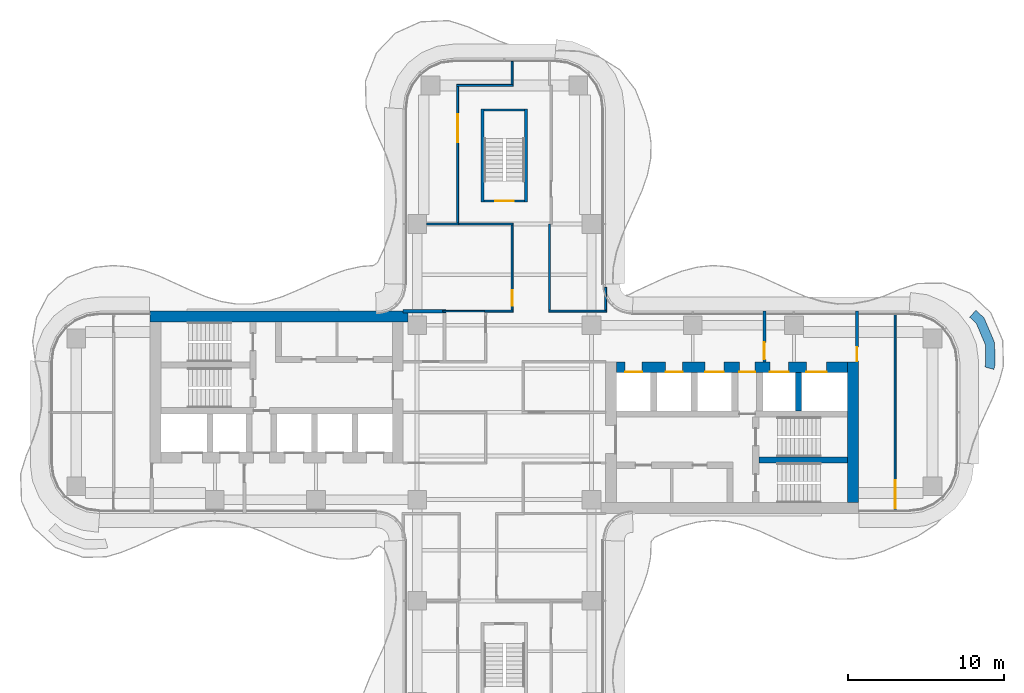
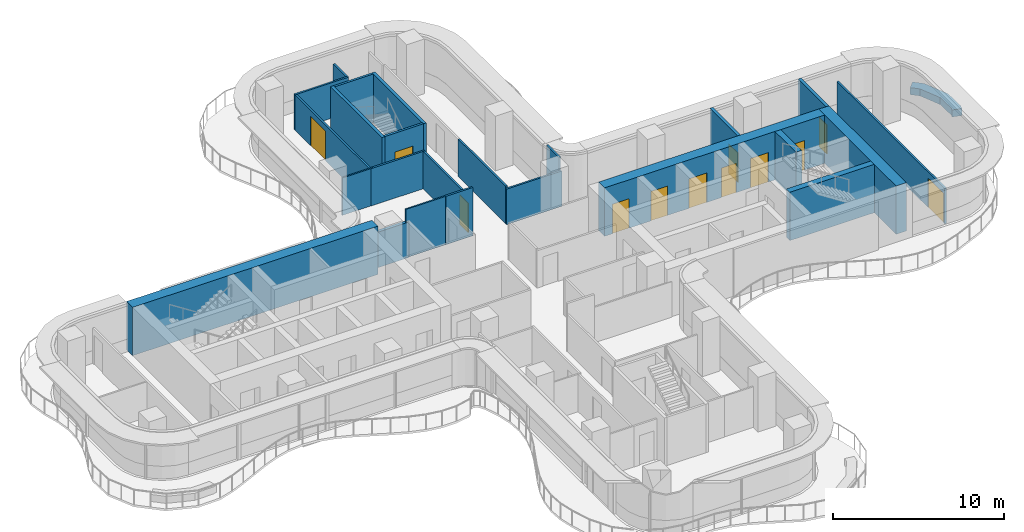
# One storey, part 14 of 17: 25 walls, 12 doors, 12 openings.
"""IFC4 building model written with IfcOpenShell, lengths in metres."""

from ifc_helpers import new_model, si_unit, direction, frame, frame_2d, origin, place, context, subcontext, project, spatial, polyline, rectangle, outline, extrude, source, transform, mapped, material, layer, layer_set, type_object, element, fill, save


model = new_model("IFC4")

# Units and contexts
model_context = context("Model", 3, precision=1e-05, world=origin(), true_north=direction((0.0, 1.0)))
body_context = subcontext(model_context, "Body", "Model", "MODEL_VIEW")
ifc_project = project(units=[si_unit("LENGTHUNIT", "METRE"), si_unit("AREAUNIT", "SQUARE_METRE"), si_unit("VOLUMEUNIT", "CUBIC_METRE"), si_unit("PLANEANGLEUNIT", "RADIAN"), si_unit("MASSUNIT", "GRAM", prefix="KILO")], contexts=[model_context])

# Site, building, storey
site_placement = place(None, origin())
site = spatial("IfcSite", under=ifc_project, at=site_placement, CompositionType="ELEMENT")
building_placement = place(site_placement, origin())
building = spatial("IfcBuilding", under=site, at=building_placement, Name="Trellis Farm Tower", CompositionType="ELEMENT")
storey_placement = place(building_placement, frame((0.0, 0.0, 208.800048828125)))
storey = spatial("IfcBuildingStorey", under=building, at=storey_placement, Name="L46", CompositionType="ELEMENT", Elevation=208.800048828125)

# Walls
ifc_material_1 = material(Name="Lightweight blockwork, plastered", Category="masonry")
ifc_layer_1 = layer(ifc_material_1, 0.199951171875)
ifc_layer_set_1 = layer_set([ifc_layer_1], Name="BLOCK WALL 200 EI 120")
wall_type_1 = type_object("IfcWallType", Name="BLOCK WALL 200 EI 120", PredefinedType="PARTITIONING", material=ifc_layer_set_1)
wall_1_placement = place(storey_placement, frame((-6.5, 6.5, 0.0), z_axis=(0.0, 0.0, 1.0), x_axis=(1.0, 0.0, 0.0)))
element("IfcWall", 1, at=wall_1_placement, inside=storey, type_object=wall_type_1, Name="Partition PW3", PredefinedType="PARTITIONING", context=body_context, shape_type="SweptSolid", body=[
    extrude(rectangle(XDim=2.75, YDim=0.199951171875, at=frame_2d((1.375, 0.0))), origin(), (0.0, 0.0, 1.0), 2.530029296875),
])
ifc_material_2 = material(Name="Plasterboard on steel studs", Category="steel")
ifc_layer_2 = layer(ifc_material_2, 0.10009765625)
ifc_layer_set_2 = layer_set([ifc_layer_2], Name="PARTITION 100 STUD EI 30")
wall_type_2 = type_object("IfcWallType", Name="PARTITION 100 STUD EI 30", PredefinedType="PARTITIONING", material=ifc_layer_set_2)
wall_2_placement = place(storey_placement, frame((-3.949951171875, 6.5, 0.0), z_axis=(0.0, 0.0, 1.0), x_axis=(1.0, 0.0, 0.0)))
element("IfcWall", 2, at=wall_2_placement, inside=storey, type_object=wall_type_2, Name="Partition PW2", PredefinedType="PARTITIONING", context=body_context, shape_type="SweptSolid", body=[
    extrude(rectangle(XDim=2.8125, YDim=0.10009765625, at=frame_2d((1.40625, 0.0))), origin(), (0.0, 0.0, 1.0), 3.449951171875),
])
ifc_material_3 = material(Name="Plasterboard on steel studs, mineral wool", Category="steel")
ifc_layer_3 = layer(ifc_material_3, 0.125)
ifc_layer_set_3 = layer_set([ifc_layer_3], Name="PARTITION 125 STUD EI 60")
wall_type_3 = type_object("IfcWallType", Name="PARTITION 125 STUD EI 60", PredefinedType="PARTITIONING", material=ifc_layer_set_3)
wall_3_placement = place(storey_placement, frame((-3.0625, 21.0, 0.0), z_axis=(0.0, 0.0, 1.0), x_axis=(1.0, 0.0, 0.0)))
element("IfcWall", 3, at=wall_3_placement, inside=storey, type_object=wall_type_3, Name="Partition PW1", PredefinedType="PARTITIONING", context=body_context, shape_type="SweptSolid", body=[
    extrude(rectangle(XDim=3.625, YDim=0.125, at=frame_2d((1.8125, 0.0))), origin(), (0.0, 0.0, 1.0), 2.530029296875),
])
ifc_material_4 = material(Name="Sandstone faced masonry planter", Category="masonry")
ifc_layer_4 = layer(ifc_material_4, 0.60009765625)
ifc_layer_set_4 = layer_set([ifc_layer_4], Name="PLANTER BED 600")
wall_type_4 = type_object("IfcWallType", Name="PLANTER BED 600", PredefinedType="USERDEFINED", material=ifc_layer_set_4)
wall_4_placement = place(storey_placement, origin())
element("IfcWall", 4, at=wall_4_placement, inside=storey, type_object=wall_type_4, Name="PLANTER bed", ObjectType="PLANTER", PredefinedType="USERDEFINED", context=body_context, shape_type="SweptSolid", body=[
    extrude(outline(polyline([(31.487060546875, 4.484130859375), (31.51953125, 3.056884765625), (31.439697265625, 2.76171875), (30.8603515625, 2.918701171875), (30.917724609375, 3.130126953125), (30.889892578125, 4.355224609375), (30.310302734375, 5.717041015625), (29.880615234375, 6.12060546875), (30.291015625, 6.55810546875), (30.81298828125, 6.068115234375), (31.487060546875, 4.484130859375)])), origin(), (0.0, 0.0, 1.0), 0.5),
])
ifc_material_5 = material(Name="Concrete C70/85", Category="concrete")
ifc_layer_5 = layer(ifc_material_5, 0.699951171875)
ifc_layer_set_5 = layer_set([ifc_layer_5], Name="CORE OUTER WALL 700 CONCRETE C70/85")
wall_type_5 = type_object("IfcWallType", Name="CORE OUTER WALL 700 CONCRETE C70/85", PredefinedType="SHEAR", material=ifc_layer_set_5)
shared_shape_1 = source(origin(), body_context, "Body", "SweptSolid", [
    extrude(rectangle(XDim=9.050048828125, YDim=0.699951171875, at=frame_2d((4.52490234375, 0.0))), origin(), (0.0, 0.0, 1.0), 3.449951171875),
])
wall_5_placement = place(storey_placement, frame((22.39990234375, -5.800048828125, 0.0), z_axis=(0.0, 0.0, 1.0), x_axis=(0.0, 1.0, 0.0)))
element("IfcWall", 5, at=wall_5_placement, inside=storey, type_object=wall_type_5, Name="Core wall", PredefinedType="SHEAR", context=body_context, shape_type="MappedRepresentation", body=[
    mapped(shared_shape_1, transform((0.0, 0.0, 0.0))),
])
ifc_layer_6 = layer(ifc_material_5, 0.39990234375)
ifc_layer_set_6 = layer_set([ifc_layer_6], Name="CORE INNER WALL 400 CONCRETE C70/85")
wall_type_6 = type_object("IfcWallType", Name="CORE INNER WALL 400 CONCRETE C70/85", PredefinedType="SHEAR", material=ifc_layer_set_6)
shared_shape_2 = source(origin(), body_context, "Body", "SweptSolid", [
    extrude(rectangle(XDim=2.449951171875, YDim=0.39990234375, at=frame_2d((1.22509765625, 0.0))), origin(), (0.0, 0.0, 1.0), 3.449951171875),
])
wall_6_placement = place(storey_placement, frame((18.89990234375, 0.10009765625, 0.0), z_axis=(0.0, 0.0, 1.0), x_axis=(0.0, 1.0, 0.0)))
element("IfcWall", 6, at=wall_6_placement, inside=storey, type_object=wall_type_6, Name="Core wall", PredefinedType="SHEAR", context=body_context, shape_type="MappedRepresentation", body=[
    mapped(shared_shape_2, transform((0.0, 0.0, 0.0))),
])

# Wall, opening, door
ifc_material_6 = material(Name="Masonry blockwork", Category="masonry")
ifc_layer_7 = layer(ifc_material_6, 0.199951171875)
ifc_layer_set_7 = layer_set([ifc_layer_7], Name="FIRE LOBBY PARTITION 200 BLOCKWORK")
wall_type_7 = type_object("IfcWallType", Name="FIRE LOBBY PARTITION 200 BLOCKWORK", PredefinedType="PARTITIONING", material=ifc_layer_set_7)
shared_shape_3 = source(origin(), body_context, "Body", "SweptSolid", [
    extrude(rectangle(XDim=3.25, YDim=0.199951171875, at=frame_2d((1.625, 0.0))), origin(), (0.0, 0.0, 1.0), 3.449951171875),
])
wall_7_placement = place(storey_placement, frame((16.699951171875, 3.25, 0.0), z_axis=(0.0, 0.0, 1.0), x_axis=(0.0, 1.0, 0.0)))
wall_7 = element("IfcWall", 7, at=wall_7_placement, inside=storey, type_object=wall_type_7, Name="Fire-fighting lobby partition", PredefinedType="PARTITIONING", context=body_context, shape_type="MappedRepresentation", body=[
    mapped(shared_shape_3, transform((0.0, 0.0, 0.0))),
])
shared_shape_4 = source(origin(), body_context, "Body", "SweptSolid", [
    extrude(rectangle(XDim=1.10009765625, YDim=2.10009765625, at=frame_2d((0.550048828125, 1.050048828125))), frame((0.0, 0.110107421875, 0.0), z_axis=(0.0, -1.0, 0.0), x_axis=(1.0, 0.0, 0.0)), (0.0, 0.0, 1.0), 0.22021484375),
])
opening_1_placement = place(wall_7_placement, frame((0.14990234375, 0.0, 0.0)))
opening_1 = element("IfcOpeningElement", 8, at=opening_1_placement, cuts=wall_7, Name="Opening DC7", PredefinedType="OPENING", context=body_context, shape_type="MappedRepresentation", body=[
    mapped(shared_shape_4, transform((0.0, 0.0, 0.0))),
])
ifc_material_7 = material(Name="Steel", Category="steel")
door_type_1 = type_object("IfcDoorType", Name="CORE FIRE DOOR 1100 X 2100", OperationType="NOTDEFINED", PredefinedType="DOOR", material=ifc_material_7)
shared_shape_5 = source(origin(), body_context, "Body", "SweptSolid", [
    extrude(rectangle(XDim=1.10009765625, YDim=2.10009765625, at=frame_2d((0.550048828125, 1.050048828125))), frame((0.0, 0.02490234375, 0.0), z_axis=(0.0, -1.0, 0.0), x_axis=(1.0, 0.0, 0.0)), (0.0, 0.0, 1.0), 0.050048828125),
])
door_1_placement = place(opening_1_placement, origin())
door_1 = element("IfcDoor", 9, at=door_1_placement, inside=storey, type_object=door_type_1, Name="Core door", OperationType="SINGLE_SWING_RIGHT", OverallHeight=2.10009765625, OverallWidth=1.10009765625, PredefinedType="DOOR", context=body_context, shape_type="MappedRepresentation", body=[
    mapped(shared_shape_5, transform((0.0, 0.0, 0.0))),
])
fill(opening_1, door_1)

wall_8_placement = place(storey_placement, frame((22.64990234375, 3.25, 0.0), z_axis=(0.0, 0.0, 1.0), x_axis=(0.0, 1.0, 0.0)))
wall_8 = element("IfcWall", 10, at=wall_8_placement, inside=storey, type_object=wall_type_7, Name="Fire-fighting lobby partition", PredefinedType="PARTITIONING", context=body_context, shape_type="MappedRepresentation", body=[
    mapped(shared_shape_3, transform((0.0, 0.0, 0.0))),
])
shared_shape_6 = source(origin(), body_context, "Body", "SweptSolid", [
    extrude(rectangle(XDim=0.89990234375, YDim=2.10009765625, at=frame_2d((0.449951171875, 1.050048828125))), frame((0.0, 0.110107421875, 0.0), z_axis=(0.0, -1.0, 0.0), x_axis=(1.0, 0.0, 0.0)), (0.0, 0.0, 1.0), 0.22021484375),
])
opening_2_placement = place(wall_8_placement, frame((0.050048828125, 0.0, 0.0)))
opening_2 = element("IfcOpeningElement", 11, at=opening_2_placement, cuts=wall_8, Name="Opening DC8", PredefinedType="OPENING", context=body_context, shape_type="MappedRepresentation", body=[
    mapped(shared_shape_6, transform((0.0, 0.0, 0.0))),
])
door_type_2 = type_object("IfcDoorType", Name="CORE FIRE DOOR 900 X 2100", OperationType="NOTDEFINED", PredefinedType="DOOR", material=ifc_material_7)
shared_shape_7 = source(origin(), body_context, "Body", "SweptSolid", [
    extrude(rectangle(XDim=0.89990234375, YDim=2.10009765625, at=frame_2d((0.449951171875, 1.050048828125))), frame((0.0, 0.02490234375, 0.0), z_axis=(0.0, -1.0, 0.0), x_axis=(1.0, 0.0, 0.0)), (0.0, 0.0, 1.0), 0.050048828125),
])
door_2_placement = place(opening_2_placement, origin())
door_2 = element("IfcDoor", 12, at=door_2_placement, inside=storey, type_object=door_type_2, Name="Core door", OperationType="SINGLE_SWING_RIGHT", OverallHeight=2.10009765625, OverallWidth=0.89990234375, PredefinedType="DOOR", context=body_context, shape_type="MappedRepresentation", body=[
    mapped(shared_shape_7, transform((0.0, 0.0, 0.0))),
])
fill(opening_2, door_2)

# Wall
shared_shape_8 = source(origin(), body_context, "Body", "SweptSolid", [
    extrude(rectangle(XDim=16.550048828125, YDim=0.699951171875, at=frame_2d((8.27490234375, 0.0))), origin(), (0.0, 0.0, 1.0), 3.449951171875),
])
wall_9_placement = place(storey_placement, frame((-6.199951171875, 6.14990234375, 0.0), z_axis=(0.0, 0.0, 1.0), x_axis=(-1.0, 0.0, 0.0)))
element("IfcWall", 13, at=wall_9_placement, inside=storey, type_object=wall_type_5, Name="Core wall", PredefinedType="SHEAR", context=body_context, shape_type="MappedRepresentation", body=[
    mapped(shared_shape_8, transform((0.0, 0.0, 0.0))),
])

# Wall, openings, doors
shared_shape_9 = source(origin(), body_context, "Body", "SweptSolid", [
    extrude(rectangle(XDim=14.85009765625, YDim=0.699951171875, at=frame_2d((7.425048828125, 0.0))), origin(), (0.0, 0.0, 1.0), 3.449951171875),
])
wall_10_placement = place(storey_placement, frame((7.199951171875, 2.89990234375, 0.0), z_axis=(0.0, 0.0, 1.0), x_axis=(1.0, 0.0, 0.0)))
wall_10 = element("IfcWall", 14, at=wall_10_placement, inside=storey, type_object=wall_type_5, Name="Core wall", PredefinedType="SHEAR", context=body_context, shape_type="MappedRepresentation", body=[
    mapped(shared_shape_9, transform((0.0, 0.0, 0.0))),
])
shared_shape_10 = source(origin(), body_context, "Body", "SweptSolid", [
    extrude(rectangle(XDim=1.10009765625, YDim=2.10009765625, at=frame_2d((0.550048828125, 1.050048828125))), frame((0.0, 0.360107421875, 0.0), z_axis=(0.0, -1.0, 0.0), x_axis=(1.0, 0.0, 0.0)), (0.0, 0.0, 1.0), 0.72021484375),
])
opening_3_placement = place(wall_10_placement, frame((0.550048828125, 0.0, 0.0)))
opening_3 = element("IfcOpeningElement", 15, at=opening_3_placement, cuts=wall_10, Name="Opening LD4", PredefinedType="OPENING", context=body_context, shape_type="MappedRepresentation", body=[
    mapped(shared_shape_10, transform((0.0, 0.0, 0.0))),
])
opening_4_placement = place(wall_10_placement, frame((3.14990234375, 0.0, 0.0)))
opening_4 = element("IfcOpeningElement", 16, at=opening_4_placement, cuts=wall_10, Name="Opening LD5", PredefinedType="OPENING", context=body_context, shape_type="MappedRepresentation", body=[
    mapped(shared_shape_10, transform((0.0, 0.0, 0.0))),
])
shared_shape_11 = source(origin(), body_context, "Body", "SweptSolid", [
    extrude(rectangle(XDim=1.199951171875, YDim=2.10009765625, at=frame_2d((0.60009765625, 1.050048828125))), frame((0.0, 0.360107421875, 0.0), z_axis=(0.0, -1.0, 0.0), x_axis=(1.0, 0.0, 0.0)), (0.0, 0.0, 1.0), 0.72021484375),
])
opening_5_placement = place(wall_10_placement, frame((5.699951171875, 0.0, 0.0)))
opening_5 = element("IfcOpeningElement", 17, at=opening_5_placement, cuts=wall_10, Name="Opening LD6", PredefinedType="OPENING", context=body_context, shape_type="MappedRepresentation", body=[
    mapped(shared_shape_11, transform((0.0, 0.0, 0.0))),
])
shared_shape_12 = source(origin(), body_context, "Body", "SweptSolid", [
    extrude(rectangle(XDim=1.300048828125, YDim=2.10009765625, at=frame_2d((0.64990234375, 1.050048828125))), frame((0.0, 0.360107421875, 0.0), z_axis=(0.0, -1.0, 0.0), x_axis=(1.0, 0.0, 0.0)), (0.0, 0.0, 1.0), 0.72021484375),
])
opening_6_placement = place(wall_10_placement, frame((12.199951171875, 0.0, 0.0)))
opening_6 = element("IfcOpeningElement", 18, at=opening_6_placement, cuts=wall_10, Name="Opening LD7", PredefinedType="OPENING", context=body_context, shape_type="MappedRepresentation", body=[
    mapped(shared_shape_12, transform((0.0, 0.0, 0.0))),
])
opening_7_placement = place(wall_10_placement, frame((9.85009765625, 0.0, 0.0)))
opening_7 = element("IfcOpeningElement", 19, at=opening_7_placement, cuts=wall_10, Name="Opening LD8", PredefinedType="OPENING", context=body_context, shape_type="MappedRepresentation", body=[
    mapped(shared_shape_11, transform((0.0, 0.0, 0.0))),
])
shared_shape_13 = source(origin(), body_context, "Body", "SweptSolid", [
    extrude(rectangle(XDim=1.0, YDim=2.10009765625, at=frame_2d((0.5, 1.050048828125))), frame((0.0, 0.360107421875, 0.0), z_axis=(0.0, -1.0, 0.0), x_axis=(1.0, 0.0, 0.0)), (0.0, 0.0, 1.0), 0.72021484375),
])
opening_8_placement = place(wall_10_placement, frame((7.89990234375, 0.0, 0.0)))
opening_8 = element("IfcOpeningElement", 20, at=opening_8_placement, cuts=wall_10, Name="Opening DC6", PredefinedType="OPENING", context=body_context, shape_type="MappedRepresentation", body=[
    mapped(shared_shape_13, transform((0.0, 0.0, 0.0))),
])
door_type_3 = type_object("IfcDoorType", Name="CORE FIRE DOOR 1000 X 2100", OperationType="NOTDEFINED", PredefinedType="DOOR", material=ifc_material_7)
shared_shape_14 = source(origin(), body_context, "Body", "SweptSolid", [
    extrude(rectangle(XDim=1.0, YDim=2.10009765625, at=frame_2d((0.5, 1.050048828125))), frame((0.0, -0.27490234375, 0.0), z_axis=(0.0, -1.0, 0.0), x_axis=(1.0, 0.0, 0.0)), (0.0, 0.0, 1.0), 0.050048828125),
])
door_3_placement = place(opening_8_placement, origin())
door_3 = element("IfcDoor", 21, at=door_3_placement, inside=storey, type_object=door_type_3, Name="Core door", OperationType="SINGLE_SWING_LEFT", OverallHeight=2.10009765625, OverallWidth=1.0, PredefinedType="DOOR", context=body_context, shape_type="MappedRepresentation", body=[
    mapped(shared_shape_14, transform((0.0, 0.0, 0.0))),
])
fill(opening_8, door_3)
ifc_material_8 = material(Name="Stainless steel", Category="steel")
door_type_4 = type_object("IfcDoorType", Name="LIFT LANDING DOOR 1300 X 2100", OperationType="DOUBLE_DOOR_SLIDING", PredefinedType="DOOR", material=ifc_material_8)
shared_shape_15 = source(origin(), body_context, "Body", "SweptSolid", [
    extrude(rectangle(XDim=1.300048828125, YDim=2.10009765625, at=frame_2d((0.64990234375, 1.050048828125))), frame((0.0, -0.27490234375, 0.0), z_axis=(0.0, -1.0, 0.0), x_axis=(1.0, 0.0, 0.0)), (0.0, 0.0, 1.0), 0.050048828125),
])
door_4_placement = place(opening_6_placement, origin())
door_4 = element("IfcDoor", 22, at=door_4_placement, inside=storey, type_object=door_type_4, Name="Lift landing door", OperationType="DOUBLE_DOOR_SLIDING", OverallHeight=2.10009765625, OverallWidth=1.300048828125, PredefinedType="DOOR", context=body_context, shape_type="MappedRepresentation", body=[
    mapped(shared_shape_15, transform((0.0, 0.0, 0.0))),
])
fill(opening_6, door_4)
door_type_5 = type_object("IfcDoorType", Name="LIFT LANDING DOOR 1200 X 2100", OperationType="DOUBLE_DOOR_SLIDING", PredefinedType="DOOR", material=ifc_material_8)
shared_shape_16 = source(origin(), body_context, "Body", "SweptSolid", [
    extrude(rectangle(XDim=1.199951171875, YDim=2.10009765625, at=frame_2d((0.60009765625, 1.050048828125))), frame((0.0, -0.27490234375, 0.0), z_axis=(0.0, -1.0, 0.0), x_axis=(1.0, 0.0, 0.0)), (0.0, 0.0, 1.0), 0.050048828125),
])
door_5_placement = place(opening_5_placement, origin())
door_5 = element("IfcDoor", 23, at=door_5_placement, inside=storey, type_object=door_type_5, Name="Lift landing door", OperationType="DOUBLE_DOOR_SLIDING", OverallHeight=2.10009765625, OverallWidth=1.199951171875, PredefinedType="DOOR", context=body_context, shape_type="MappedRepresentation", body=[
    mapped(shared_shape_16, transform((0.0, 0.0, 0.0))),
])
fill(opening_5, door_5)
door_6_placement = place(opening_7_placement, origin())
door_6 = element("IfcDoor", 24, at=door_6_placement, inside=storey, type_object=door_type_5, Name="Lift landing door", OperationType="DOUBLE_DOOR_SLIDING", OverallHeight=2.10009765625, OverallWidth=1.199951171875, PredefinedType="DOOR", context=body_context, shape_type="MappedRepresentation", body=[
    mapped(shared_shape_16, transform((0.0, 0.0, 0.0))),
])
fill(opening_7, door_6)
door_type_6 = type_object("IfcDoorType", Name="LIFT LANDING DOOR 1100 X 2100", OperationType="DOUBLE_DOOR_SLIDING", PredefinedType="DOOR", material=ifc_material_8)
shared_shape_17 = source(origin(), body_context, "Body", "SweptSolid", [
    extrude(rectangle(XDim=1.10009765625, YDim=2.10009765625, at=frame_2d((0.550048828125, 1.050048828125))), frame((0.0, -0.27490234375, 0.0), z_axis=(0.0, -1.0, 0.0), x_axis=(1.0, 0.0, 0.0)), (0.0, 0.0, 1.0), 0.050048828125),
])
door_7_placement = place(opening_3_placement, origin())
door_7 = element("IfcDoor", 25, at=door_7_placement, inside=storey, type_object=door_type_6, Name="Lift landing door", OperationType="DOUBLE_DOOR_SLIDING", OverallHeight=2.10009765625, OverallWidth=1.10009765625, PredefinedType="DOOR", context=body_context, shape_type="MappedRepresentation", body=[
    mapped(shared_shape_17, transform((0.0, 0.0, 0.0))),
])
fill(opening_3, door_7)
door_8_placement = place(opening_4_placement, origin())
door_8 = element("IfcDoor", 26, at=door_8_placement, inside=storey, type_object=door_type_6, Name="Lift landing door", OperationType="DOUBLE_DOOR_SLIDING", OverallHeight=2.10009765625, OverallWidth=1.10009765625, PredefinedType="DOOR", context=body_context, shape_type="MappedRepresentation", body=[
    mapped(shared_shape_17, transform((0.0, 0.0, 0.0))),
])
fill(opening_4, door_8)

# Walls
shared_shape_18 = source(origin(), body_context, "Body", "SweptSolid", [
    extrude(rectangle(XDim=5.699951171875, YDim=0.39990234375, at=frame_2d((2.85009765625, 0.0))), origin(), (0.0, 0.0, 1.0), 3.449951171875),
])
wall_11_placement = place(storey_placement, frame((16.35009765625, -3.050048828125, 0.0), z_axis=(0.0, 0.0, 1.0), x_axis=(1.0, 0.0, 0.0)))
element("IfcWall", 27, at=wall_11_placement, inside=storey, type_object=wall_type_6, Name="Core wall", PredefinedType="SHEAR", context=body_context, shape_type="MappedRepresentation", body=[
    mapped(shared_shape_18, transform((0.0, 0.0, 0.0))),
])
ifc_layer_8 = layer(ifc_material_5, 0.199951171875)
ifc_layer_set_8 = layer_set([ifc_layer_8], Name="CORE STAIR ENCLOSURE WALL 200 CONCRETE C70/85")
wall_type_8 = type_object("IfcWallType", Name="CORE STAIR ENCLOSURE WALL 200 CONCRETE C70/85", PredefinedType="SHEAR", material=ifc_layer_set_8)
shared_shape_19 = source(origin(), body_context, "Body", "SweptSolid", [
    extrude(rectangle(XDim=6.0, YDim=0.199951171875, at=frame_2d((3.0, 0.0))), origin(), (0.0, 0.0, 1.0), 3.449951171875),
])
for number, where, z_axis, x_axis, name in (
    (28, (-1.39990234375, 13.5, 0.0), (0.0, 0.0, 1.0), (0.0, 1.0, 0.0), "Stair enclosure wall"),
    (29, (1.39990234375, 13.5, 0.0), (0.0, 0.0, 1.0), (0.0, 1.0, 0.0), "Stair enclosure wall"),
):
    element("IfcWall", number, at=place(storey_placement, frame(where, z_axis=z_axis, x_axis=x_axis)), inside=storey, type_object=wall_type_8, Name=name, PredefinedType="SHEAR", context=body_context, shape_type="MappedRepresentation", body=[
        mapped(shared_shape_19, transform((0.0, 0.0, 0.0))),
    ])

# Wall, opening, door
ifc_layer_9 = layer(ifc_material_5, 0.14990234375)
ifc_layer_set_9 = layer_set([ifc_layer_9], Name="CORE STAIR ENCLOSURE WALL 150 CONCRETE C70/85")
wall_type_9 = type_object("IfcWallType", Name="CORE STAIR ENCLOSURE WALL 150 CONCRETE C70/85", PredefinedType="SHEAR", material=ifc_layer_set_9)
shared_shape_20 = source(origin(), body_context, "Body", "SweptSolid", [
    extrude(rectangle(XDim=2.60009765625, YDim=0.14990234375, at=frame_2d((1.300048828125, 0.0))), origin(), (0.0, 0.0, 1.0), 3.449951171875),
])
wall_12_placement = place(storey_placement, frame((-1.300048828125, 13.574951171875, 0.0), z_axis=(0.0, 0.0, 1.0), x_axis=(1.0, 0.0, 0.0)))
wall_12 = element("IfcWall", 30, at=wall_12_placement, inside=storey, type_object=wall_type_9, Name="Stair enclosure wall", PredefinedType="SHEAR", context=body_context, shape_type="MappedRepresentation", body=[
    mapped(shared_shape_20, transform((0.0, 0.0, 0.0))),
])
shared_shape_21 = source(origin(), body_context, "Body", "SweptSolid", [
    extrude(rectangle(XDim=1.199951171875, YDim=2.10009765625, at=frame_2d((0.60009765625, 1.050048828125))), frame((0.0, 0.0849609375, 0.0), z_axis=(0.0, -1.0, 0.0), x_axis=(1.0, 0.0, 0.0)), (0.0, 0.0, 1.0), 0.169921875),
])
opening_9_placement = place(wall_12_placement, frame((0.699951171875, 0.0, 0.0)))
opening_9 = element("IfcOpeningElement", 31, at=opening_9_placement, cuts=wall_12, Name="Opening DC173", PredefinedType="OPENING", context=body_context, shape_type="MappedRepresentation", body=[
    mapped(shared_shape_21, transform((0.0, 0.0, 0.0))),
])
door_type_7 = type_object("IfcDoorType", Name="CORE FIRE DOOR 1200 X 2100", OperationType="NOTDEFINED", PredefinedType="DOOR", material=ifc_material_7)
shared_shape_22 = source(origin(), body_context, "Body", "SweptSolid", [
    extrude(rectangle(XDim=1.199951171875, YDim=2.10009765625, at=frame_2d((0.60009765625, 1.050048828125))), frame((0.0, 0.02490234375, 0.0), z_axis=(0.0, -1.0, 0.0), x_axis=(1.0, 0.0, 0.0)), (0.0, 0.0, 1.0), 0.050048828125),
])
door_9_placement = place(opening_9_placement, origin())
door_9 = element("IfcDoor", 32, at=door_9_placement, inside=storey, type_object=door_type_7, Name="Core door", OperationType="SINGLE_SWING_LEFT", OverallHeight=2.10009765625, OverallWidth=1.199951171875, PredefinedType="DOOR", context=body_context, shape_type="MappedRepresentation", body=[
    mapped(shared_shape_22, transform((0.0, 0.0, 0.0))),
])
fill(opening_9, door_9)

# Wall
wall_13_placement = place(storey_placement, frame((-1.300048828125, 19.425048828125, 0.0), z_axis=(0.0, 0.0, 1.0), x_axis=(1.0, 0.0, 0.0)))
element("IfcWall", 33, at=wall_13_placement, inside=storey, type_object=wall_type_9, Name="Stair enclosure wall", PredefinedType="SHEAR", context=body_context, shape_type="MappedRepresentation", body=[
    mapped(shared_shape_20, transform((0.0, 0.0, 0.0))),
])

# Wall, opening, door
shared_shape_23 = source(origin(), body_context, "Body", "SweptSolid", [
    extrude(rectangle(XDim=5.47509765625, YDim=0.125, at=frame_2d((2.737548828125, 0.0))), origin(), (0.0, 0.0, 1.0), 2.667724609375),
])
wall_14_placement = place(storey_placement, frame((0.5, 12.03759765625, 0.0), z_axis=(0.0, 0.0, 1.0), x_axis=(0.0, -1.0, 0.0)))
wall_14 = element("IfcWall", 34, at=wall_14_placement, inside=storey, type_object=wall_type_3, Name="Partition PW1", PredefinedType="PARTITIONING", context=body_context, shape_type="MappedRepresentation", body=[
    mapped(shared_shape_23, transform((0.0, 0.0, 0.0))),
])
shared_shape_24 = source(origin(), body_context, "Body", "SweptSolid", [
    extrude(rectangle(XDim=1.0, YDim=2.10009765625, at=frame_2d((0.5, 1.050048828125))), frame((0.0, 0.072509765625, 0.0), z_axis=(0.0, -1.0, 0.0), x_axis=(1.0, 0.0, 0.0)), (0.0, 0.0, 1.0), 0.14501953125),
])
opening_10_placement = place(wall_14_placement, frame((4.1875, 0.0, 0.0)))
opening_10 = element("IfcOpeningElement", 35, at=opening_10_placement, cuts=wall_14, Name="Opening D110", PredefinedType="OPENING", context=body_context, shape_type="MappedRepresentation", body=[
    mapped(shared_shape_24, transform((0.0, 0.0, 0.0))),
])
ifc_material_9 = material(Name="Fire-rated timber door leaf in a hollow metal frame", Category="wood")
door_type_8 = type_object("IfcDoorType", Name="DOOR 1000x2100 FD30S", OperationType="NOTDEFINED", PredefinedType="DOOR", material=ifc_material_9)
shared_shape_25 = source(origin(), body_context, "Body", "SweptSolid", [
    extrude(rectangle(XDim=1.0, YDim=2.10009765625, at=frame_2d((0.5, 1.050048828125))), frame((0.0, 0.02490234375, 0.0), z_axis=(0.0, -1.0, 0.0), x_axis=(1.0, 0.0, 0.0)), (0.0, 0.0, 1.0), 0.050048828125),
])
door_10_placement = place(opening_10_placement, origin())
door_10 = element("IfcDoor", 36, at=door_10_placement, inside=storey, type_object=door_type_8, Name="Door D110", OperationType="SINGLE_SWING_RIGHT", OverallHeight=2.10009765625, OverallWidth=1.0, PredefinedType="DOOR", context=body_context, shape_type="MappedRepresentation", body=[
    mapped(shared_shape_25, transform((0.0, 0.0, 0.0))),
])
fill(opening_10, door_10)

# Walls
shared_shape_26 = source(origin(), body_context, "Body", "SweptSolid", [
    extrude(rectangle(XDim=5.53759765625, YDim=0.125, at=frame_2d((2.768798828125, 0.0))), origin(), (0.0, 0.0, 1.0), 2.667724609375),
])
wall_15_placement = place(storey_placement, frame((2.89990234375, 12.10009765625, 0.0), z_axis=(0.0, 0.0, 1.0), x_axis=(0.0, -1.0, 0.0)))
element("IfcWall", 37, at=wall_15_placement, inside=storey, type_object=wall_type_3, Name="Partition PW1", PredefinedType="PARTITIONING", context=body_context, shape_type="MappedRepresentation", body=[
    mapped(shared_shape_26, transform((0.0, 0.0, 0.0))),
])
shared_shape_27 = source(origin(), body_context, "Body", "SweptSolid", [
    extrude(rectangle(XDim=1.468994140625, YDim=0.125, at=frame_2d((0.734375, 0.0))), origin(), (0.0, 0.0, 1.0), 3.449951171875),
])
wall_16_placement = place(storey_placement, frame((6.5, 6.5625, 0.0), z_axis=(0.0, 0.0, 1.0), x_axis=(0.0, 1.0, 0.0)))
element("IfcWall", 38, at=wall_16_placement, inside=storey, type_object=wall_type_3, Name="Partition PW1", PredefinedType="PARTITIONING", context=body_context, shape_type="MappedRepresentation", body=[
    mapped(shared_shape_27, transform((0.0, 0.0, 0.0))),
])

# Wall, opening, door
shared_shape_28 = source(origin(), body_context, "Body", "SweptSolid", [
    extrude(rectangle(XDim=12.60009765625, YDim=0.125, at=frame_2d((6.300048828125, 0.0))), origin(), (0.0, 0.0, 1.0), 2.530029296875),
])
wall_17_placement = place(storey_placement, frame((25.10009765625, 6.300048828125, 0.0), z_axis=(0.0, 0.0, 1.0), x_axis=(0.0, -1.0, 0.0)))
wall_17 = element("IfcWall", 39, at=wall_17_placement, inside=storey, type_object=wall_type_3, Name="Partition PW1", PredefinedType="PARTITIONING", context=body_context, shape_type="MappedRepresentation", body=[
    mapped(shared_shape_28, transform((0.0, 0.0, 0.0))),
])
shared_shape_29 = source(origin(), body_context, "Body", "SweptSolid", [
    extrude(rectangle(XDim=1.800048828125, YDim=2.10009765625, at=frame_2d((0.89990234375, 1.050048828125))), frame((0.0, 0.072509765625, 0.0), z_axis=(0.0, -1.0, 0.0), x_axis=(1.0, 0.0, 0.0)), (0.0, 0.0, 1.0), 0.14501953125),
])
opening_11_placement = place(wall_17_placement, frame((10.64990234375, 0.0, 0.0)))
opening_11 = element("IfcOpeningElement", 40, at=opening_11_placement, cuts=wall_17, Name="Opening D201", PredefinedType="OPENING", context=body_context, shape_type="MappedRepresentation", body=[
    mapped(shared_shape_29, transform((0.0, 0.0, 0.0))),
])
door_type_9 = type_object("IfcDoorType", Name="DOOR PAIR 1800x2100 FD30S", OperationType="NOTDEFINED", PredefinedType="DOOR", material=ifc_material_9)
shared_shape_30 = source(origin(), body_context, "Body", "SweptSolid", [
    extrude(rectangle(XDim=1.800048828125, YDim=2.10009765625, at=frame_2d((0.89990234375, 1.050048828125))), frame((0.0, 0.02490234375, 0.0), z_axis=(0.0, -1.0, 0.0), x_axis=(1.0, 0.0, 0.0)), (0.0, 0.0, 1.0), 0.050048828125),
])
door_11_placement = place(opening_11_placement, origin())
door_11 = element("IfcDoor", 41, at=door_11_placement, inside=storey, type_object=door_type_9, Name="Door D201", OperationType="DOUBLE_DOOR_SINGLE_SWING", OverallHeight=2.10009765625, OverallWidth=1.800048828125, PredefinedType="DOOR", context=body_context, shape_type="MappedRepresentation", body=[
    mapped(shared_shape_30, transform((0.0, 0.0, 0.0))),
])
fill(opening_11, door_11)

# Walls
shared_shape_31 = source(origin(), body_context, "Body", "SweptSolid", [
    extrude(rectangle(XDim=2.0625, YDim=0.10009765625, at=frame_2d((1.03125, 0.0))), origin(), (0.0, 0.0, 1.0), 2.667724609375),
])
wall_18_placement = place(storey_placement, frame((-5.0, 12.10009765625, 0.0), z_axis=(0.0, 0.0, 1.0), x_axis=(1.0, 0.0, 0.0)))
element("IfcWall", 42, at=wall_18_placement, inside=storey, type_object=wall_type_2, Name="Partition PW2", PredefinedType="PARTITIONING", context=body_context, shape_type="MappedRepresentation", body=[
    mapped(shared_shape_31, transform((0.0, 0.0, 0.0))),
])
shared_shape_32 = source(origin(), body_context, "Body", "SweptSolid", [
    extrude(rectangle(XDim=1.824951171875, YDim=0.125, at=frame_2d((0.91259765625, 0.0))), origin(), (0.0, 0.0, 1.0), 3.449951171875),
])
wall_19_placement = place(storey_placement, frame((-1.262451171875, 6.5, 0.0), z_axis=(0.0, 0.0, 1.0), x_axis=(1.0, 0.0, 0.0)))
element("IfcWall", 43, at=wall_19_placement, inside=storey, type_object=wall_type_3, Name="Partition PW1", PredefinedType="PARTITIONING", context=body_context, shape_type="MappedRepresentation", body=[
    mapped(shared_shape_32, transform((0.0, 0.0, 0.0))),
])
shared_shape_33 = source(origin(), body_context, "Body", "SweptSolid", [
    extrude(rectangle(XDim=3.72509765625, YDim=0.125, at=frame_2d((1.862548828125, 0.0))), origin(), (0.0, 0.0, 1.0), 2.530029296875),
])
wall_20_placement = place(storey_placement, frame((2.83740234375, 6.5, 0.0), z_axis=(0.0, 0.0, 1.0), x_axis=(1.0, 0.0, 0.0)))
element("IfcWall", 44, at=wall_20_placement, inside=storey, type_object=wall_type_3, Name="Partition PW1", PredefinedType="PARTITIONING", context=body_context, shape_type="MappedRepresentation", body=[
    mapped(shared_shape_33, transform((0.0, 0.0, 0.0))),
])
shared_shape_34 = source(origin(), body_context, "Body", "SweptSolid", [
    extrude(rectangle(XDim=3.625, YDim=0.125, at=frame_2d((1.8125, 0.0))), origin(), (0.0, 0.0, 1.0), 2.667724609375),
])
wall_21_placement = place(storey_placement, frame((0.5625, 12.10009765625, 0.0), z_axis=(0.0, 0.0, 1.0), x_axis=(-1.0, 0.0, 0.0)))
element("IfcWall", 45, at=wall_21_placement, inside=storey, type_object=wall_type_3, Name="Partition PW1", PredefinedType="PARTITIONING", context=body_context, shape_type="MappedRepresentation", body=[
    mapped(shared_shape_34, transform((0.0, 0.0, 0.0))),
])

# Wall, opening, door
shared_shape_35 = source(origin(), body_context, "Body", "SweptSolid", [
    extrude(rectangle(XDim=8.78759765625, YDim=0.125, at=frame_2d((4.393798828125, 0.0))), origin(), (0.0, 0.0, 1.0), 2.530029296875),
])
wall_22_placement = place(storey_placement, frame((-3.0, 12.14990234375, 0.0), z_axis=(0.0, 0.0, 1.0), x_axis=(0.0, 1.0, 0.0)))
wall_22 = element("IfcWall", 46, at=wall_22_placement, inside=storey, type_object=wall_type_3, Name="Partition PW1", PredefinedType="PARTITIONING", context=body_context, shape_type="MappedRepresentation", body=[
    mapped(shared_shape_35, transform((0.0, 0.0, 0.0))),
])
opening_12_placement = place(wall_22_placement, frame((5.199951171875, 0.0, 0.0)))
opening_12 = element("IfcOpeningElement", 47, at=opening_12_placement, cuts=wall_22, Name="Opening D202", PredefinedType="OPENING", context=body_context, shape_type="MappedRepresentation", body=[
    mapped(shared_shape_29, transform((0.0, 0.0, 0.0))),
])
door_12_placement = place(opening_12_placement, origin())
door_12 = element("IfcDoor", 48, at=door_12_placement, inside=storey, type_object=door_type_9, Name="Door D202", OperationType="DOUBLE_DOOR_SINGLE_SWING", OverallHeight=2.10009765625, OverallWidth=1.800048828125, PredefinedType="DOOR", context=body_context, shape_type="MappedRepresentation", body=[
    mapped(shared_shape_30, transform((0.0, 0.0, 0.0))),
])
fill(opening_12, door_12)

# Wall
shared_shape_36 = source(origin(), body_context, "Body", "SweptSolid", [
    extrude(rectangle(XDim=1.487548828125, YDim=0.125, at=frame_2d((0.74365234375, 0.0))), origin(), (0.0, 0.0, 1.0), 2.530029296875),
])
wall_23_placement = place(storey_placement, frame((0.5, 22.550048828125, 0.0), z_axis=(0.0, 0.0, 1.0), x_axis=(0.0, -1.0, 0.0)))
element("IfcWall", 49, at=wall_23_placement, inside=storey, type_object=wall_type_3, Name="Partition PW1", PredefinedType="PARTITIONING", context=body_context, shape_type="MappedRepresentation", body=[
    mapped(shared_shape_36, transform((0.0, 0.0, 0.0))),
])

save(model, "model.ifc")
